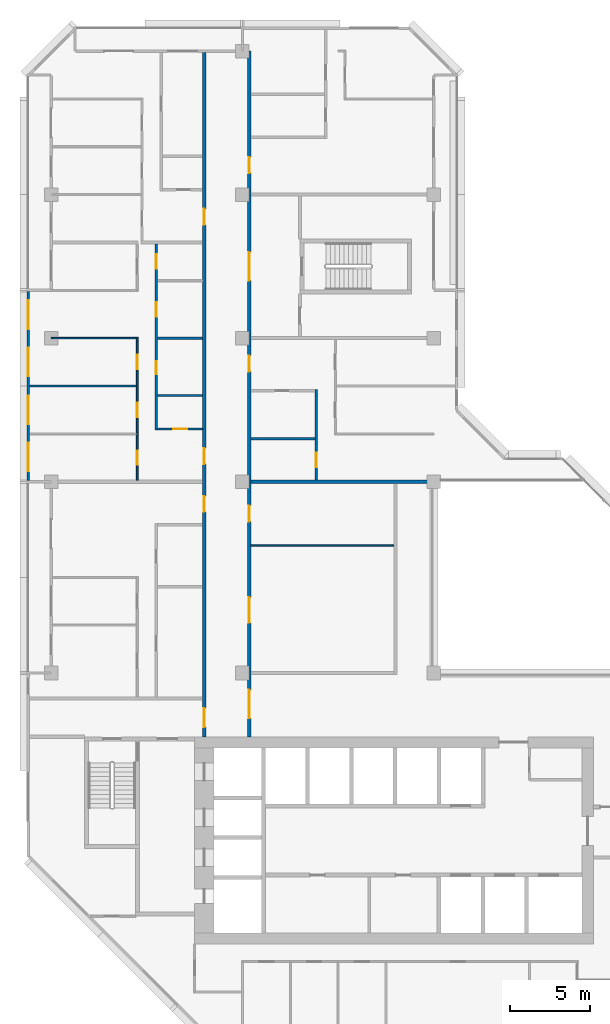
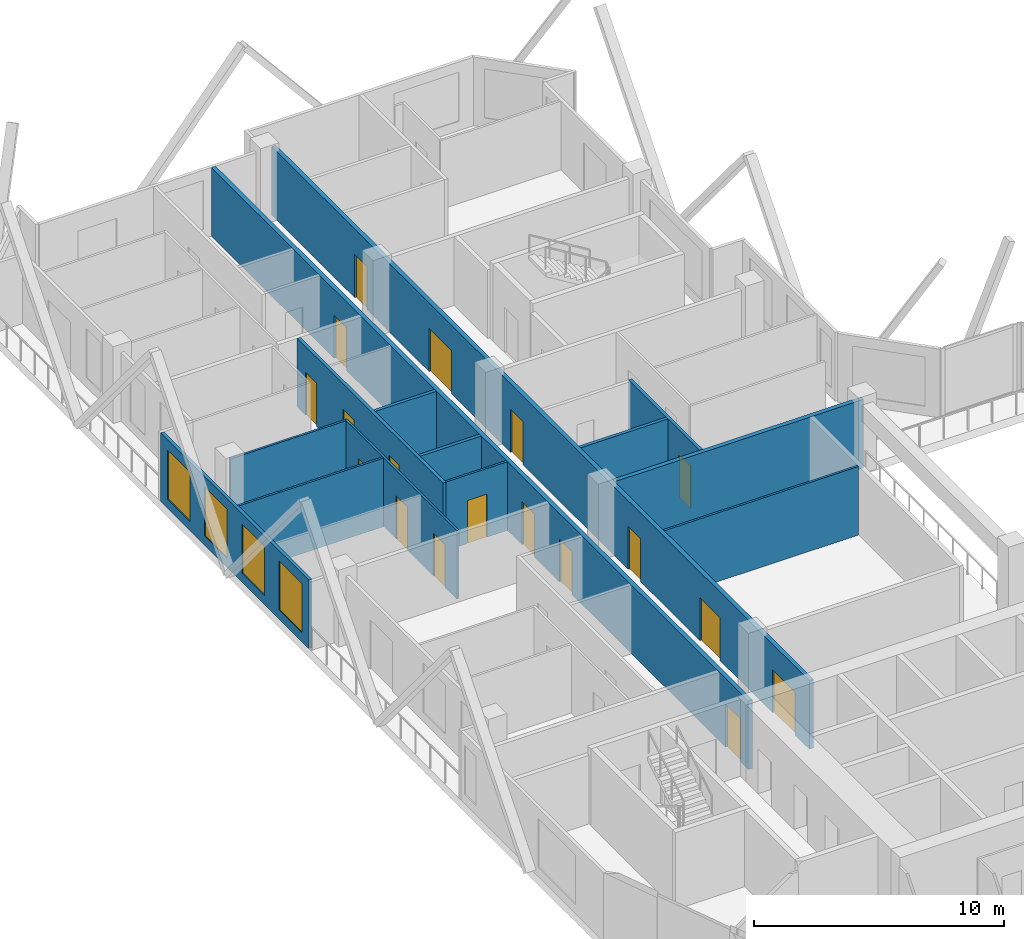
# One storey, part 9 of 16: 18 doors, 14 walls, 4 windows, 22 openings.
"""IFC4 building model written with IfcOpenShell, lengths in metres."""

from ifc_helpers import new_model, si_unit, direction, frame, frame_2d, origin, place, context, subcontext, project, spatial, rectangle, extrude, material, layer, layer_set, type_object, element, fill, save


model = new_model("IFC4")

# Units and contexts
model_context = context("Model", 3, precision=1e-05, world=origin(), true_north=direction((0.0, 1.0)))
body_context = subcontext(model_context, "Body", "Model", "MODEL_VIEW")
ifc_project = project(units=[si_unit("LENGTHUNIT", "METRE"), si_unit("AREAUNIT", "SQUARE_METRE"), si_unit("VOLUMEUNIT", "CUBIC_METRE"), si_unit("PLANEANGLEUNIT", "RADIAN"), si_unit("MASSUNIT", "GRAM", prefix="KILO")], contexts=[model_context])

# Site, building, storey
site_placement = place(None, origin())
site = spatial("IfcSite", under=ifc_project, at=site_placement, CompositionType="ELEMENT")
building_placement = place(site_placement, origin())
building = spatial("IfcBuilding", under=site, at=building_placement, Name="Chenar Terraces", CompositionType="ELEMENT")
storey_placement = place(building_placement, frame((0.0, 0.0, 219.14990234375)))
storey = spatial("IfcBuildingStorey", under=building, at=storey_placement, Name="L51", CompositionType="ELEMENT", Elevation=219.14990234375)

# Wall, openings, doors
ifc_material_1 = material(Name="Gypsum board on steel studs with fire boards", Category="steel")
ifc_layer_1 = layer(ifc_material_1, 0.199951171875)
ifc_layer_set_1 = layer_set([ifc_layer_1], Name="Gypsum board on steel studs with fire boards")
wall_type_1 = type_object("IfcWallType", Name="Corridor wall 200", PredefinedType="PARTITIONING", material=ifc_layer_set_1)
wall_1_placement = place(storey_placement, frame((9.60009765625, 20.0, 0.0), z_axis=(0.0, 0.0, 1.0), x_axis=(0.0, 1.0, 0.0)))
wall_1 = element("IfcWall", 1, at=wall_1_placement, inside=storey, type_object=wall_type_1, Name="Partition L51-033", PredefinedType="PARTITIONING", context=body_context, shape_type="SweptSolid", body=[
    extrude(rectangle(XDim=42.926025390625, YDim=0.199951171875, at=frame_2d((21.462890625, 0.0))), origin(), (0.0, 0.0, 1.0), 3.35009765625),
])
opening_1_placement = place(wall_1_placement, frame((17.10009765625, 0.0, 0.0)))
opening_1 = element("IfcOpeningElement", 2, at=opening_1_placement, cuts=wall_1, Name="Opening DL51-28", PredefinedType="OPENING", context=body_context, shape_type="SweptSolid", body=[
    extrude(rectangle(XDim=1.0, YDim=2.10009765625, at=frame_2d((0.5, 1.050048828125))), frame((0.0, 0.10986328125, 0.0), z_axis=(0.0, -1.0, 0.0), x_axis=(1.0, 0.0, 0.0)), (0.0, 0.0, 1.0), 0.219970703125),
])
opening_2_placement = place(wall_1_placement, frame((32.10009765625, 0.0, 0.0)))
opening_2 = element("IfcOpeningElement", 3, at=opening_2_placement, cuts=wall_1, Name="Opening DL51-36", PredefinedType="OPENING", context=body_context, shape_type="SweptSolid", body=[
    extrude(rectangle(XDim=1.0, YDim=2.10009765625, at=frame_2d((0.5, 1.050048828125))), frame((0.0, 0.10986328125, 0.0), z_axis=(0.0, -1.0, 0.0), x_axis=(1.0, 0.0, 0.0)), (0.0, 0.0, 1.0), 0.219970703125),
])
opening_3_placement = place(wall_1_placement, frame((0.60009765625, 0.0, 0.0)))
opening_3 = element("IfcOpeningElement", 4, at=opening_3_placement, cuts=wall_1, Name="Opening DL51-40", PredefinedType="OPENING", context=body_context, shape_type="SweptSolid", body=[
    extrude(rectangle(XDim=1.199951171875, YDim=2.10009765625, at=frame_2d((0.60009765625, 1.050048828125))), frame((0.0, 0.10986328125, 0.0), z_axis=(0.0, -1.0, 0.0), x_axis=(1.0, 0.0, 0.0)), (0.0, 0.0, 1.0), 0.219970703125),
])
opening_4_placement = place(wall_1_placement, frame((14.10009765625, 0.0, 0.0)))
opening_4 = element("IfcOpeningElement", 5, at=opening_4_placement, cuts=wall_1, Name="Opening DL51-64", PredefinedType="OPENING", context=body_context, shape_type="SweptSolid", body=[
    extrude(rectangle(XDim=1.0, YDim=2.10009765625, at=frame_2d((0.5, 1.050048828125))), frame((0.0, 0.10986328125, 0.0), z_axis=(0.0, -1.0, 0.0), x_axis=(1.0, 0.0, 0.0)), (0.0, 0.0, 1.0), 0.219970703125),
])
ifc_material_2 = material(Name="Steel-framed fire-resisting door leaf", Category="steel")
door_type_1 = type_object("IfcDoorType", Name="Fire door FD30S 1000 x 2100", OperationType="SINGLE_SWING_LEFT", PredefinedType="DOOR", material=ifc_material_2)
door_1_placement = place(opening_1_placement, origin())
door_1 = element("IfcDoor", 6, at=door_1_placement, inside=storey, type_object=door_type_1, Name="Door DL51-28", OperationType="SINGLE_SWING_LEFT", OverallHeight=2.10009765625, OverallWidth=1.0, PredefinedType="DOOR", context=body_context, shape_type="SweptSolid", body=[
    extrude(rectangle(XDim=1.0, YDim=2.10009765625, at=frame_2d((0.5, 1.050048828125))), frame((0.0, 0.02490234375, 0.0), z_axis=(0.0, -1.0, 0.0), x_axis=(1.0, 0.0, 0.0)), (0.0, 0.0, 1.0), 0.050048828125),
])
fill(opening_1, door_1)
door_2_placement = place(opening_2_placement, origin())
door_2 = element("IfcDoor", 7, at=door_2_placement, inside=storey, type_object=door_type_1, Name="Door DL51-36", OperationType="SINGLE_SWING_LEFT", OverallHeight=2.10009765625, OverallWidth=1.0, PredefinedType="DOOR", context=body_context, shape_type="SweptSolid", body=[
    extrude(rectangle(XDim=1.0, YDim=2.10009765625, at=frame_2d((0.5, 1.050048828125))), frame((0.0, 0.02490234375, 0.0), z_axis=(0.0, -1.0, 0.0), x_axis=(1.0, 0.0, 0.0)), (0.0, 0.0, 1.0), 0.050048828125),
])
fill(opening_2, door_2)
door_3_placement = place(opening_4_placement, origin())
door_3 = element("IfcDoor", 8, at=door_3_placement, inside=storey, type_object=door_type_1, Name="Door DL51-64", OperationType="SINGLE_SWING_LEFT", OverallHeight=2.10009765625, OverallWidth=1.0, PredefinedType="DOOR", context=body_context, shape_type="SweptSolid", body=[
    extrude(rectangle(XDim=1.0, YDim=2.10009765625, at=frame_2d((0.5, 1.050048828125))), frame((0.0, 0.02490234375, 0.0), z_axis=(0.0, -1.0, 0.0), x_axis=(1.0, 0.0, 0.0)), (0.0, 0.0, 1.0), 0.050048828125),
])
fill(opening_4, door_3)
ifc_material_3 = material(Name="Steel-framed fire-resisting door leaf", Category="steel")
door_type_2 = type_object("IfcDoorType", Name="Fire door FD30S 1200 x 2100", OperationType="SINGLE_SWING_LEFT", PredefinedType="DOOR", material=ifc_material_3)
door_4_placement = place(opening_3_placement, origin())
door_4 = element("IfcDoor", 9, at=door_4_placement, inside=storey, type_object=door_type_2, Name="Door DL51-40", OperationType="SINGLE_SWING_RIGHT", OverallHeight=2.10009765625, OverallWidth=1.199951171875, PredefinedType="DOOR", context=body_context, shape_type="SweptSolid", body=[
    extrude(rectangle(XDim=1.199951171875, YDim=2.10009765625, at=frame_2d((0.60009765625, 1.050048828125))), frame((0.0, 0.02490234375, 0.0), z_axis=(0.0, -1.0, 0.0), x_axis=(1.0, 0.0, 0.0)), (0.0, 0.0, 1.0), 0.050048828125),
])
fill(opening_3, door_4)

wall_2_placement = place(storey_placement, frame((12.425048828125, 20.0, 0.0), z_axis=(0.0, 0.0, 1.0), x_axis=(0.0, 1.0, 0.0)))
wall_2 = element("IfcWall", 10, at=wall_2_placement, inside=storey, type_object=wall_type_1, Name="Partition L51-036", PredefinedType="PARTITIONING", context=body_context, shape_type="SweptSolid", body=[
    extrude(rectangle(XDim=43.0, YDim=0.199951171875, at=frame_2d((21.5, 0.0))), origin(), (0.0, 0.0, 1.0), 3.35009765625),
])
opening_5_placement = place(wall_2_placement, frame((7.14990234375, 0.0, 0.0)))
opening_5 = element("IfcOpeningElement", 11, at=opening_5_placement, cuts=wall_2, Name="Opening DL51-1", PredefinedType="OPENING", context=body_context, shape_type="SweptSolid", body=[
    extrude(rectangle(XDim=1.60009765625, YDim=2.10009765625, at=frame_2d((0.800048828125, 1.050048828125))), frame((0.0, 0.10986328125, 0.0), z_axis=(0.0, -1.0, 0.0), x_axis=(1.0, 0.0, 0.0)), (0.0, 0.0, 1.0), 0.219970703125),
])
opening_6_placement = place(wall_2_placement, frame((13.5, 0.0, 0.0)))
opening_6 = element("IfcOpeningElement", 12, at=opening_6_placement, cuts=wall_2, Name="Opening DL51-2", PredefinedType="OPENING", context=body_context, shape_type="SweptSolid", body=[
    extrude(rectangle(XDim=1.0, YDim=2.10009765625, at=frame_2d((0.5, 1.050048828125))), frame((0.0, 0.10986328125, 0.0), z_axis=(0.0, -1.0, 0.0), x_axis=(1.0, 0.0, 0.0)), (0.0, 0.0, 1.0), 0.219970703125),
])
opening_7_placement = place(wall_2_placement, frame((22.89990234375, 0.0, 0.0)))
opening_7 = element("IfcOpeningElement", 13, at=opening_7_placement, cuts=wall_2, Name="Opening DL51-18", PredefinedType="OPENING", context=body_context, shape_type="SweptSolid", body=[
    extrude(rectangle(XDim=1.0, YDim=2.10009765625, at=frame_2d((0.5, 1.050048828125))), frame((0.0, 0.10986328125, 0.0), z_axis=(0.0, -1.0, 0.0), x_axis=(1.0, 0.0, 0.0)), (0.0, 0.0, 1.0), 0.219970703125),
])
opening_8_placement = place(wall_2_placement, frame((35.35009765625, 0.0, 0.0)))
opening_8 = element("IfcOpeningElement", 14, at=opening_8_placement, cuts=wall_2, Name="Opening DL51-22", PredefinedType="OPENING", context=body_context, shape_type="SweptSolid", body=[
    extrude(rectangle(XDim=1.0, YDim=2.10009765625, at=frame_2d((0.5, 1.050048828125))), frame((0.0, 0.10986328125, 0.0), z_axis=(0.0, -1.0, 0.0), x_axis=(1.0, 0.0, 0.0)), (0.0, 0.0, 1.0), 0.219970703125),
])
opening_9_placement = place(wall_2_placement, frame((1.14990234375, 0.0, 0.0)))
opening_9 = element("IfcOpeningElement", 15, at=opening_9_placement, cuts=wall_2, Name="Opening DL51-39", PredefinedType="OPENING", context=body_context, shape_type="SweptSolid", body=[
    extrude(rectangle(XDim=1.800048828125, YDim=2.10009765625, at=frame_2d((0.89990234375, 1.050048828125))), frame((0.0, 0.10986328125, 0.0), z_axis=(0.0, -1.0, 0.0), x_axis=(1.0, 0.0, 0.0)), (0.0, 0.0, 1.0), 0.219970703125),
])
opening_10_placement = place(wall_2_placement, frame((28.60009765625, 0.0, 0.0)))
opening_10 = element("IfcOpeningElement", 16, at=opening_10_placement, cuts=wall_2, Name="Opening DL51-41", PredefinedType="OPENING", context=body_context, shape_type="SweptSolid", body=[
    extrude(rectangle(XDim=1.800048828125, YDim=2.10009765625, at=frame_2d((0.89990234375, 1.050048828125))), frame((0.0, 0.10986328125, 0.0), z_axis=(0.0, -1.0, 0.0), x_axis=(1.0, 0.0, 0.0)), (0.0, 0.0, 1.0), 0.219970703125),
])
ifc_material_4 = material(Name="Steel-framed fire-resisting door leaf", Category="steel")
door_type_3 = type_object("IfcDoorType", Name="Fire door FD60 1000 x 2100", OperationType="SINGLE_SWING_LEFT", PredefinedType="DOOR", material=ifc_material_4)
door_5_placement = place(opening_6_placement, frame((1.0, 0.0, 0.0), z_axis=(0.0, 0.0, 1.0), x_axis=(-1.0, 0.0, 0.0)))
door_5 = element("IfcDoor", 17, at=door_5_placement, inside=storey, type_object=door_type_3, Name="Door DL51-2", OperationType="SINGLE_SWING_LEFT", OverallHeight=2.10009765625, OverallWidth=1.0, PredefinedType="DOOR", context=body_context, shape_type="SweptSolid", body=[
    extrude(rectangle(XDim=1.0, YDim=2.10009765625, at=frame_2d((0.5, 1.050048828125))), frame((0.0, 0.02490234375, 0.0), z_axis=(0.0, -1.0, 0.0), x_axis=(1.0, 0.0, 0.0)), (0.0, 0.0, 1.0), 0.050048828125),
])
fill(opening_6, door_5)
door_6_placement = place(opening_7_placement, frame((1.0, 0.0, 0.0), z_axis=(0.0, 0.0, 1.0), x_axis=(-1.0, 0.0, 0.0)))
door_6 = element("IfcDoor", 18, at=door_6_placement, inside=storey, type_object=door_type_3, Name="Door DL51-18", OperationType="SINGLE_SWING_LEFT", OverallHeight=2.10009765625, OverallWidth=1.0, PredefinedType="DOOR", context=body_context, shape_type="SweptSolid", body=[
    extrude(rectangle(XDim=1.0, YDim=2.10009765625, at=frame_2d((0.5, 1.050048828125))), frame((0.0, 0.02490234375, 0.0), z_axis=(0.0, -1.0, 0.0), x_axis=(1.0, 0.0, 0.0)), (0.0, 0.0, 1.0), 0.050048828125),
])
fill(opening_7, door_6)
door_7_placement = place(opening_8_placement, frame((1.0, 0.0, 0.0), z_axis=(0.0, 0.0, 1.0), x_axis=(-1.0, 0.0, 0.0)))
door_7 = element("IfcDoor", 19, at=door_7_placement, inside=storey, type_object=door_type_3, Name="Door DL51-22", OperationType="SINGLE_SWING_LEFT", OverallHeight=2.10009765625, OverallWidth=1.0, PredefinedType="DOOR", context=body_context, shape_type="SweptSolid", body=[
    extrude(rectangle(XDim=1.0, YDim=2.10009765625, at=frame_2d((0.5, 1.050048828125))), frame((0.0, 0.02490234375, 0.0), z_axis=(0.0, -1.0, 0.0), x_axis=(1.0, 0.0, 0.0)), (0.0, 0.0, 1.0), 0.050048828125),
])
fill(opening_8, door_7)
ifc_material_5 = material(Name="Steel-framed fire-resisting door leaf", Category="steel")
door_type_4 = type_object("IfcDoorType", Name="Fire double door FD60 1600 x 2100", OperationType="DOUBLE_DOOR_SINGLE_SWING", PredefinedType="DOOR", material=ifc_material_5)
door_8_placement = place(opening_5_placement, frame((1.60009765625, 0.0, 0.0), z_axis=(0.0, 0.0, 1.0), x_axis=(-1.0, 0.0, 0.0)))
door_8 = element("IfcDoor", 20, at=door_8_placement, inside=storey, type_object=door_type_4, Name="Door DL51-1", OperationType="DOUBLE_DOOR_SINGLE_SWING", OverallHeight=2.10009765625, OverallWidth=1.60009765625, PredefinedType="DOOR", context=body_context, shape_type="SweptSolid", body=[
    extrude(rectangle(XDim=1.60009765625, YDim=2.10009765625, at=frame_2d((0.800048828125, 1.050048828125))), frame((0.0, 0.02490234375, 0.0), z_axis=(0.0, -1.0, 0.0), x_axis=(1.0, 0.0, 0.0)), (0.0, 0.0, 1.0), 0.050048828125),
])
fill(opening_5, door_8)
ifc_material_6 = material(Name="Steel-framed fire-resisting door leaf", Category="steel")
door_type_5 = type_object("IfcDoorType", Name="Fire double door FD60 1800 x 2100", OperationType="DOUBLE_DOOR_SINGLE_SWING", PredefinedType="DOOR", material=ifc_material_6)
door_9_placement = place(opening_9_placement, frame((1.800048828125, 0.0, 0.0), z_axis=(0.0, 0.0, 1.0), x_axis=(-1.0, 0.0, 0.0)))
door_9 = element("IfcDoor", 21, at=door_9_placement, inside=storey, type_object=door_type_5, Name="Door DL51-39", OperationType="DOUBLE_DOOR_SINGLE_SWING", OverallHeight=2.10009765625, OverallWidth=1.800048828125, PredefinedType="DOOR", context=body_context, shape_type="SweptSolid", body=[
    extrude(rectangle(XDim=1.800048828125, YDim=2.10009765625, at=frame_2d((0.89990234375, 1.050048828125))), frame((0.0, 0.02490234375, 0.0), z_axis=(0.0, -1.0, 0.0), x_axis=(1.0, 0.0, 0.0)), (0.0, 0.0, 1.0), 0.050048828125),
])
fill(opening_9, door_9)
door_10_placement = place(opening_10_placement, frame((1.800048828125, 0.0, 0.0), z_axis=(0.0, 0.0, 1.0), x_axis=(-1.0, 0.0, 0.0)))
door_10 = element("IfcDoor", 22, at=door_10_placement, inside=storey, type_object=door_type_5, Name="Door DL51-41", OperationType="DOUBLE_DOOR_SINGLE_SWING", OverallHeight=2.10009765625, OverallWidth=1.800048828125, PredefinedType="DOOR", context=body_context, shape_type="SweptSolid", body=[
    extrude(rectangle(XDim=1.800048828125, YDim=2.10009765625, at=frame_2d((0.89990234375, 1.050048828125))), frame((0.0, 0.02490234375, 0.0), z_axis=(0.0, -1.0, 0.0), x_axis=(1.0, 0.0, 0.0)), (0.0, 0.0, 1.0), 0.050048828125),
])
fill(opening_10, door_10)

# Wall, openings, windows
ifc_material_7 = material(Name="Aluminium framed glazing", Category="aluminium")
ifc_layer_2 = layer(ifc_material_7, 0.14990234375)
ifc_layer_set_2 = layer_set([ifc_layer_2], Name="Aluminium framed glazing")
wall_type_2 = type_object("IfcWallType", Name="Glazed flush facade wall 150", PredefinedType="SOLIDWALL", material=ifc_layer_set_2)
wall_3_placement = place(storey_placement, frame((-1.425048828125, 47.925048828125, 0.0), z_axis=(0.0, 0.0, 1.0), x_axis=(0.0, -1.0, 0.0)))
wall_3 = element("IfcWall", 23, at=wall_3_placement, inside=storey, type_object=wall_type_2, Name="Glazed flush facade wall", PredefinedType="SOLIDWALL", context=body_context, shape_type="SweptSolid", body=[
    extrude(rectangle(XDim=11.85009765625, YDim=0.14990234375, at=frame_2d((5.925048828125, 0.0))), origin(), (0.0, 0.0, 1.0), 3.35009765625),
])
opening_11_placement = place(wall_3_placement, frame((0.5625, 0.0, 0.449951171875)))
opening_11 = element("IfcOpeningElement", 24, at=opening_11_placement, cuts=wall_3, Name="Opening W180x240", PredefinedType="OPENING", context=body_context, shape_type="SweptSolid", body=[
    extrude(rectangle(XDim=1.800048828125, YDim=2.39990234375, at=frame_2d((0.89990234375, 1.199951171875))), frame((0.0, 0.0849609375, 0.0), z_axis=(0.0, -1.0, 0.0), x_axis=(1.0, 0.0, 0.0)), (0.0, 0.0, 1.0), 0.169921875),
])
opening_12_placement = place(wall_3_placement, frame((3.52490234375, 0.0, 0.449951171875)))
opening_12 = element("IfcOpeningElement", 25, at=opening_12_placement, cuts=wall_3, Name="Opening W180x240", PredefinedType="OPENING", context=body_context, shape_type="SweptSolid", body=[
    extrude(rectangle(XDim=1.800048828125, YDim=2.39990234375, at=frame_2d((0.89990234375, 1.199951171875))), frame((0.0, 0.0849609375, 0.0), z_axis=(0.0, -1.0, 0.0), x_axis=(1.0, 0.0, 0.0)), (0.0, 0.0, 1.0), 0.169921875),
])
opening_13_placement = place(wall_3_placement, frame((6.52490234375, 0.0, 0.449951171875)))
opening_13 = element("IfcOpeningElement", 26, at=opening_13_placement, cuts=wall_3, Name="Opening W180x240", PredefinedType="OPENING", context=body_context, shape_type="SweptSolid", body=[
    extrude(rectangle(XDim=1.800048828125, YDim=2.39990234375, at=frame_2d((0.89990234375, 1.199951171875))), frame((0.0, 0.0849609375, 0.0), z_axis=(0.0, -1.0, 0.0), x_axis=(1.0, 0.0, 0.0)), (0.0, 0.0, 1.0), 0.169921875),
])
opening_14_placement = place(wall_3_placement, frame((9.487548828125, 0.0, 0.449951171875)))
opening_14 = element("IfcOpeningElement", 27, at=opening_14_placement, cuts=wall_3, Name="Opening W180x240", PredefinedType="OPENING", context=body_context, shape_type="SweptSolid", body=[
    extrude(rectangle(XDim=1.800048828125, YDim=2.39990234375, at=frame_2d((0.89990234375, 1.199951171875))), frame((0.0, 0.0849609375, 0.0), z_axis=(0.0, -1.0, 0.0), x_axis=(1.0, 0.0, 0.0)), (0.0, 0.0, 1.0), 0.169921875),
])
ifc_material_8 = material(Name="Low emissivity double glazing, aluminium frame", Category="aluminium")
window_type = type_object("IfcWindowType", Name="Fixed light 1800 x 2400", PartitioningType="SINGLE_PANEL", PredefinedType="WINDOW", material=ifc_material_8)
window_1_placement = place(opening_11_placement, origin())
window_1 = element("IfcWindow", 28, at=window_1_placement, inside=storey, type_object=window_type, Name="Window", OverallHeight=2.39990234375, OverallWidth=1.800048828125, PartitioningType="SINGLE_PANEL", PredefinedType="WINDOW", context=body_context, shape_type="SweptSolid", body=[
    extrude(rectangle(XDim=1.800048828125, YDim=2.39990234375, at=frame_2d((0.89990234375, 1.199951171875))), frame((0.0, 0.030029296875, 0.0), z_axis=(0.0, -1.0, 0.0), x_axis=(1.0, 0.0, 0.0)), (0.0, 0.0, 1.0), 0.06005859375),
])
fill(opening_11, window_1)
window_2_placement = place(opening_12_placement, origin())
window_2 = element("IfcWindow", 29, at=window_2_placement, inside=storey, type_object=window_type, Name="Window", OverallHeight=2.39990234375, OverallWidth=1.800048828125, PartitioningType="SINGLE_PANEL", PredefinedType="WINDOW", context=body_context, shape_type="SweptSolid", body=[
    extrude(rectangle(XDim=1.800048828125, YDim=2.39990234375, at=frame_2d((0.89990234375, 1.199951171875))), frame((0.0, 0.030029296875, 0.0), z_axis=(0.0, -1.0, 0.0), x_axis=(1.0, 0.0, 0.0)), (0.0, 0.0, 1.0), 0.06005859375),
])
fill(opening_12, window_2)
window_3_placement = place(opening_13_placement, origin())
window_3 = element("IfcWindow", 30, at=window_3_placement, inside=storey, type_object=window_type, Name="Window", OverallHeight=2.39990234375, OverallWidth=1.800048828125, PartitioningType="SINGLE_PANEL", PredefinedType="WINDOW", context=body_context, shape_type="SweptSolid", body=[
    extrude(rectangle(XDim=1.800048828125, YDim=2.39990234375, at=frame_2d((0.89990234375, 1.199951171875))), frame((0.0, 0.030029296875, 0.0), z_axis=(0.0, -1.0, 0.0), x_axis=(1.0, 0.0, 0.0)), (0.0, 0.0, 1.0), 0.06005859375),
])
fill(opening_13, window_3)
window_4_placement = place(opening_14_placement, origin())
window_4 = element("IfcWindow", 31, at=window_4_placement, inside=storey, type_object=window_type, Name="Window", OverallHeight=2.39990234375, OverallWidth=1.800048828125, PartitioningType="SINGLE_PANEL", PredefinedType="WINDOW", context=body_context, shape_type="SweptSolid", body=[
    extrude(rectangle(XDim=1.800048828125, YDim=2.39990234375, at=frame_2d((0.89990234375, 1.199951171875))), frame((0.0, 0.030029296875, 0.0), z_axis=(0.0, -1.0, 0.0), x_axis=(1.0, 0.0, 0.0)), (0.0, 0.0, 1.0), 0.06005859375),
])
fill(opening_14, window_4)

# Walls
ifc_material_9 = material(Name="Gypsum board on steel studs", Category="steel")
ifc_layer_3 = layer(ifc_material_9, 0.10009765625)
ifc_layer_set_3 = layer_set([ifc_layer_3], Name="Gypsum board on steel studs")
wall_type_3 = type_object("IfcWallType", Name="Gypsum partition 100", PredefinedType="PARTITIONING", material=ifc_layer_set_3)
wall_4_placement = place(storey_placement, frame((-1.35107421875, 42.0, 0.0), z_axis=(0.0, 0.0, 1.0), x_axis=(1.0, 0.0, 0.0)))
element("IfcWall", 32, at=wall_4_placement, inside=storey, type_object=wall_type_3, Name="Partition L51-002", PredefinedType="PARTITIONING", context=body_context, shape_type="SweptSolid", body=[
    extrude(rectangle(XDim=6.701171875, YDim=0.10009765625, at=frame_2d((3.3505859375, 0.0))), origin(), (0.0, 0.0, 1.0), 3.35009765625),
])
wall_5_placement = place(storey_placement, frame((0.0, 45.0, 0.0), z_axis=(0.0, 0.0, 1.0), x_axis=(1.0, 0.0, 0.0)))
element("IfcWall", 33, at=wall_5_placement, inside=storey, type_object=wall_type_3, Name="Partition L51-006", PredefinedType="PARTITIONING", context=body_context, shape_type="SweptSolid", body=[
    extrude(rectangle(XDim=5.35009765625, YDim=0.10009765625, at=frame_2d((2.675048828125, 0.0))), origin(), (0.0, 0.0, 1.0), 3.35009765625),
])

# Wall, openings, doors
wall_6_placement = place(storey_placement, frame((5.39990234375, 36.10009765625, 0.0), z_axis=(0.0, 0.0, 1.0), x_axis=(0.0, 1.0, 0.0)))
wall_6 = element("IfcWall", 34, at=wall_6_placement, inside=storey, type_object=wall_type_3, Name="Partition L51-016", PredefinedType="PARTITIONING", context=body_context, shape_type="SweptSolid", body=[
    extrude(rectangle(XDim=8.949951171875, YDim=0.10009765625, at=frame_2d((4.47509765625, 0.0))), origin(), (0.0, 0.0, 1.0), 3.35009765625),
])
opening_15_placement = place(wall_6_placement, frame((0.949951171875, 0.0, 0.0)))
opening_15 = element("IfcOpeningElement", 35, at=opening_15_placement, cuts=wall_6, Name="Opening DL51-24", PredefinedType="OPENING", context=body_context, shape_type="SweptSolid", body=[
    extrude(rectangle(XDim=0.89990234375, YDim=2.10009765625, at=frame_2d((0.449951171875, 1.050048828125))), frame((0.0, 0.06005859375, 0.0), z_axis=(0.0, -1.0, 0.0), x_axis=(1.0, 0.0, 0.0)), (0.0, 0.0, 1.0), 0.1201171875),
])
opening_16_placement = place(wall_6_placement, frame((3.949951171875, 0.0, 0.0)))
opening_16 = element("IfcOpeningElement", 36, at=opening_16_placement, cuts=wall_6, Name="Opening DL51-25", PredefinedType="OPENING", context=body_context, shape_type="SweptSolid", body=[
    extrude(rectangle(XDim=0.89990234375, YDim=2.10009765625, at=frame_2d((0.449951171875, 1.050048828125))), frame((0.0, 0.06005859375, 0.0), z_axis=(0.0, -1.0, 0.0), x_axis=(1.0, 0.0, 0.0)), (0.0, 0.0, 1.0), 0.1201171875),
])
opening_17_placement = place(wall_6_placement, frame((6.949951171875, 0.0, 0.0)))
opening_17 = element("IfcOpeningElement", 37, at=opening_17_placement, cuts=wall_6, Name="Opening DL51-26", PredefinedType="OPENING", context=body_context, shape_type="SweptSolid", body=[
    extrude(rectangle(XDim=0.89990234375, YDim=2.10009765625, at=frame_2d((0.449951171875, 1.050048828125))), frame((0.0, 0.06005859375, 0.0), z_axis=(0.0, -1.0, 0.0), x_axis=(1.0, 0.0, 0.0)), (0.0, 0.0, 1.0), 0.1201171875),
])
ifc_material_10 = material(Name="Veneered timber door leaf", Category="wood")
door_type_6 = type_object("IfcDoorType", Name="Door 900 x 2100", OperationType="SINGLE_SWING_LEFT", PredefinedType="DOOR", material=ifc_material_10)
door_11_placement = place(opening_15_placement, origin())
door_11 = element("IfcDoor", 38, at=door_11_placement, inside=storey, type_object=door_type_6, Name="Door DL51-24", OperationType="SINGLE_SWING_RIGHT", OverallHeight=2.10009765625, OverallWidth=0.89990234375, PredefinedType="DOOR", context=body_context, shape_type="SweptSolid", body=[
    extrude(rectangle(XDim=0.89990234375, YDim=2.10009765625, at=frame_2d((0.449951171875, 1.050048828125))), frame((0.0, 0.02490234375, 0.0), z_axis=(0.0, -1.0, 0.0), x_axis=(1.0, 0.0, 0.0)), (0.0, 0.0, 1.0), 0.050048828125),
])
fill(opening_15, door_11)
door_12_placement = place(opening_16_placement, origin())
door_12 = element("IfcDoor", 39, at=door_12_placement, inside=storey, type_object=door_type_6, Name="Door DL51-25", OperationType="SINGLE_SWING_RIGHT", OverallHeight=2.10009765625, OverallWidth=0.89990234375, PredefinedType="DOOR", context=body_context, shape_type="SweptSolid", body=[
    extrude(rectangle(XDim=0.89990234375, YDim=2.10009765625, at=frame_2d((0.449951171875, 1.050048828125))), frame((0.0, 0.02490234375, 0.0), z_axis=(0.0, -1.0, 0.0), x_axis=(1.0, 0.0, 0.0)), (0.0, 0.0, 1.0), 0.050048828125),
])
fill(opening_16, door_12)
door_13_placement = place(opening_17_placement, origin())
door_13 = element("IfcDoor", 40, at=door_13_placement, inside=storey, type_object=door_type_6, Name="Door DL51-26", OperationType="SINGLE_SWING_RIGHT", OverallHeight=2.10009765625, OverallWidth=0.89990234375, PredefinedType="DOOR", context=body_context, shape_type="SweptSolid", body=[
    extrude(rectangle(XDim=0.89990234375, YDim=2.10009765625, at=frame_2d((0.449951171875, 1.050048828125))), frame((0.0, 0.02490234375, 0.0), z_axis=(0.0, -1.0, 0.0), x_axis=(1.0, 0.0, 0.0)), (0.0, 0.0, 1.0), 0.050048828125),
])
fill(opening_17, door_13)

# Wall, opening, door
wall_7_placement = place(storey_placement, frame((6.675048828125, 39.300048828125, 0.0), z_axis=(0.0, 0.0, 1.0), x_axis=(1.0, 0.0, 0.0)))
wall_7 = element("IfcWall", 41, at=wall_7_placement, inside=storey, type_object=wall_type_3, Name="Partition L51-024", PredefinedType="PARTITIONING", context=body_context, shape_type="SweptSolid", body=[
    extrude(rectangle(XDim=2.824951171875, YDim=0.10009765625, at=frame_2d((1.41259765625, 0.0))), origin(), (0.0, 0.0, 1.0), 3.35009765625),
])
opening_18_placement = place(wall_7_placement, frame((0.97509765625, 0.0, 0.0)))
opening_18 = element("IfcOpeningElement", 42, at=opening_18_placement, cuts=wall_7, Name="Opening DL51-29", PredefinedType="OPENING", context=body_context, shape_type="SweptSolid", body=[
    extrude(rectangle(XDim=0.89990234375, YDim=2.10009765625, at=frame_2d((0.449951171875, 1.050048828125))), frame((0.0, 0.06005859375, 0.0), z_axis=(0.0, -1.0, 0.0), x_axis=(1.0, 0.0, 0.0)), (0.0, 0.0, 1.0), 0.1201171875),
])
door_14_placement = place(opening_18_placement, origin())
door_14 = element("IfcDoor", 43, at=door_14_placement, inside=storey, type_object=door_type_6, Name="Door DL51-29", OperationType="SINGLE_SWING_RIGHT", OverallHeight=2.10009765625, OverallWidth=0.89990234375, PredefinedType="DOOR", context=body_context, shape_type="SweptSolid", body=[
    extrude(rectangle(XDim=0.89990234375, YDim=2.10009765625, at=frame_2d((0.449951171875, 1.050048828125))), frame((0.0, 0.02490234375, 0.0), z_axis=(0.0, -1.0, 0.0), x_axis=(1.0, 0.0, 0.0)), (0.0, 0.0, 1.0), 0.050048828125),
])
fill(opening_18, door_14)

# Walls
wall_8_placement = place(storey_placement, frame((12.52490234375, 32.0, 0.0), z_axis=(0.0, 0.0, 1.0), x_axis=(1.0, 0.0, 0.0)))
element("IfcWall", 44, at=wall_8_placement, inside=storey, type_object=wall_type_3, Name="Partition L51-038", PredefinedType="PARTITIONING", context=body_context, shape_type="SweptSolid", body=[
    extrude(rectangle(XDim=8.97509765625, YDim=0.10009765625, at=frame_2d((4.487548828125, 0.0))), origin(), (0.0, 0.0, 1.0), 3.35009765625),
])
ifc_material_11 = material(Name="Twin gypsum board on steel studs with mineral wool", Category="steel")
ifc_layer_4 = layer(ifc_material_11, 0.199951171875)
ifc_layer_set_4 = layer_set([ifc_layer_4], Name="Twin gypsum board on steel studs with mineral wool")
wall_type_4 = type_object("IfcWallType", Name="Unit demising wall 200", PredefinedType="PARTITIONING", material=ifc_layer_set_4)
wall_9_placement = place(storey_placement, frame((12.52490234375, 36.0, 0.0), z_axis=(0.0, 0.0, 1.0), x_axis=(1.0, 0.0, 0.0)))
element("IfcWall", 45, at=wall_9_placement, inside=storey, type_object=wall_type_4, Name="Partition L51-039", PredefinedType="PARTITIONING", context=body_context, shape_type="SweptSolid", body=[
    extrude(rectangle(XDim=11.47509765625, YDim=0.199951171875, at=frame_2d((5.737548828125, 0.0))), origin(), (0.0, 0.0, 1.0), 3.35009765625),
])

# Wall, openings, doors
ifc_material_12 = material(Name="Moisture-resistant gypsum board on steel studs", Category="steel")
ifc_layer_5 = layer(ifc_material_12, 0.14990234375)
ifc_layer_set_5 = layer_set([ifc_layer_5], Name="Moisture-resistant gypsum board on steel studs")
wall_type_5 = type_object("IfcWallType", Name="Wet-room partition 150", PredefinedType="PARTITIONING", material=ifc_layer_set_5)
wall_10_placement = place(storey_placement, frame((6.60009765625, 39.25, 0.0), z_axis=(0.0, 0.0, 1.0), x_axis=(0.0, 1.0, 0.0)))
wall_10 = element("IfcWall", 46, at=wall_10_placement, inside=storey, type_object=wall_type_5, Name="Partition L51-021", PredefinedType="PARTITIONING", context=body_context, shape_type="SweptSolid", body=[
    extrude(rectangle(XDim=11.64990234375, YDim=0.14990234375, at=frame_2d((5.824951171875, 0.0))), origin(), (0.0, 0.0, 1.0), 3.35009765625),
])
opening_19_placement = place(wall_10_placement, frame((3.5, 0.0, 0.0)))
opening_19 = element("IfcOpeningElement", 47, at=opening_19_placement, cuts=wall_10, Name="Opening DL51-23", PredefinedType="OPENING", context=body_context, shape_type="SweptSolid", body=[
    extrude(rectangle(XDim=0.800048828125, YDim=2.10009765625, at=frame_2d((0.39990234375, 1.050048828125))), frame((0.0, 0.0849609375, 0.0), z_axis=(0.0, -1.0, 0.0), x_axis=(1.0, 0.0, 0.0)), (0.0, 0.0, 1.0), 0.169921875),
])
opening_20_placement = place(wall_10_placement, frame((7.10009765625, 0.0, 0.0)))
opening_20 = element("IfcOpeningElement", 48, at=opening_20_placement, cuts=wall_10, Name="Opening DL51-27", PredefinedType="OPENING", context=body_context, shape_type="SweptSolid", body=[
    extrude(rectangle(XDim=0.89990234375, YDim=2.10009765625, at=frame_2d((0.449951171875, 1.050048828125))), frame((0.0, 0.0849609375, 0.0), z_axis=(0.0, -1.0, 0.0), x_axis=(1.0, 0.0, 0.0)), (0.0, 0.0, 1.0), 0.169921875),
])
opening_21_placement = place(wall_10_placement, frame((10.10009765625, 0.0, 0.0)))
opening_21 = element("IfcOpeningElement", 49, at=opening_21_placement, cuts=wall_10, Name="Opening DL51-30", PredefinedType="OPENING", context=body_context, shape_type="SweptSolid", body=[
    extrude(rectangle(XDim=0.89990234375, YDim=2.10009765625, at=frame_2d((0.449951171875, 1.050048828125))), frame((0.0, 0.0849609375, 0.0), z_axis=(0.0, -1.0, 0.0), x_axis=(1.0, 0.0, 0.0)), (0.0, 0.0, 1.0), 0.169921875),
])
ifc_material_13 = material(Name="Veneered timber door leaf", Category="wood")
door_type_7 = type_object("IfcDoorType", Name="Door 800 x 2100", OperationType="SINGLE_SWING_LEFT", PredefinedType="DOOR", material=ifc_material_13)
door_15_placement = place(opening_19_placement, frame((0.800048828125, 0.0, 0.0), z_axis=(0.0, 0.0, 1.0), x_axis=(-1.0, 0.0, 0.0)))
door_15 = element("IfcDoor", 50, at=door_15_placement, inside=storey, type_object=door_type_7, Name="Door DL51-23", OperationType="SINGLE_SWING_RIGHT", OverallHeight=2.10009765625, OverallWidth=0.800048828125, PredefinedType="DOOR", context=body_context, shape_type="SweptSolid", body=[
    extrude(rectangle(XDim=0.800048828125, YDim=2.10009765625, at=frame_2d((0.39990234375, 1.050048828125))), frame((0.0, 0.02490234375, 0.0), z_axis=(0.0, -1.0, 0.0), x_axis=(1.0, 0.0, 0.0)), (0.0, 0.0, 1.0), 0.050048828125),
])
fill(opening_19, door_15)
door_16_placement = place(opening_20_placement, frame((0.89990234375, 0.0, 0.0), z_axis=(0.0, 0.0, 1.0), x_axis=(-1.0, 0.0, 0.0)))
door_16 = element("IfcDoor", 51, at=door_16_placement, inside=storey, type_object=door_type_6, Name="Door DL51-27", OperationType="SINGLE_SWING_RIGHT", OverallHeight=2.10009765625, OverallWidth=0.89990234375, PredefinedType="DOOR", context=body_context, shape_type="SweptSolid", body=[
    extrude(rectangle(XDim=0.89990234375, YDim=2.10009765625, at=frame_2d((0.449951171875, 1.050048828125))), frame((0.0, 0.02490234375, 0.0), z_axis=(0.0, -1.0, 0.0), x_axis=(1.0, 0.0, 0.0)), (0.0, 0.0, 1.0), 0.050048828125),
])
fill(opening_20, door_16)
door_17_placement = place(opening_21_placement, frame((0.89990234375, 0.0, 0.0), z_axis=(0.0, 0.0, 1.0), x_axis=(-1.0, 0.0, 0.0)))
door_17 = element("IfcDoor", 52, at=door_17_placement, inside=storey, type_object=door_type_6, Name="Door DL51-30", OperationType="SINGLE_SWING_LEFT", OverallHeight=2.10009765625, OverallWidth=0.89990234375, PredefinedType="DOOR", context=body_context, shape_type="SweptSolid", body=[
    extrude(rectangle(XDim=0.89990234375, YDim=2.10009765625, at=frame_2d((0.449951171875, 1.050048828125))), frame((0.0, 0.02490234375, 0.0), z_axis=(0.0, -1.0, 0.0), x_axis=(1.0, 0.0, 0.0)), (0.0, 0.0, 1.0), 0.050048828125),
])
fill(opening_21, door_17)

# Walls
for number, where, z_axis, x_axis, name in (
    (53, (6.675048828125, 41.39990234375, 0.0), (0.0, 0.0, 1.0), (1.0, 0.0, 0.0), "Partition L51-025"),
    (54, (6.675048828125, 45.0, 0.0), (0.0, 0.0, 1.0), (1.0, 0.0, 0.0), "Partition L51-026"),
):
    element("IfcWall", number, at=place(storey_placement, frame(where, z_axis=z_axis, x_axis=x_axis)), inside=storey, type_object=wall_type_5, Name=name, PredefinedType="PARTITIONING", context=body_context, shape_type="SweptSolid", body=[
        extrude(rectangle(XDim=2.824951171875, YDim=0.14990234375, at=frame_2d((1.41259765625, 0.0))), origin(), (0.0, 0.0, 1.0), 3.35009765625),
    ])
wall_11_placement = place(storey_placement, frame((12.52490234375, 38.699951171875, 0.0), z_axis=(0.0, 0.0, 1.0), x_axis=(1.0, 0.0, 0.0)))
element("IfcWall", 55, at=wall_11_placement, inside=storey, type_object=wall_type_5, Name="Partition L51-040", PredefinedType="PARTITIONING", context=body_context, shape_type="SweptSolid", body=[
    extrude(rectangle(XDim=4.025146484375, YDim=0.14990234375, at=frame_2d((2.0126953125, 0.0))), origin(), (0.0, 0.0, 1.0), 3.35009765625),
])

# Wall, opening, door
wall_12_placement = place(storey_placement, frame((16.625, 36.10009765625, 0.0), z_axis=(0.0, 0.0, 1.0), x_axis=(0.0, 1.0, 0.0)))
wall_12 = element("IfcWall", 56, at=wall_12_placement, inside=storey, type_object=wall_type_5, Name="Partition L51-049", PredefinedType="PARTITIONING", context=body_context, shape_type="SweptSolid", body=[
    extrude(rectangle(XDim=5.6748046875, YDim=0.14990234375, at=frame_2d((2.83740234375, 0.0))), origin(), (0.0, 0.0, 1.0), 3.35009765625),
])
opening_22_placement = place(wall_12_placement, frame((0.800048828125, 0.0, 0.0)))
opening_22 = element("IfcOpeningElement", 57, at=opening_22_placement, cuts=wall_12, Name="Opening DL51-17", PredefinedType="OPENING", context=body_context, shape_type="SweptSolid", body=[
    extrude(rectangle(XDim=0.89990234375, YDim=2.10009765625, at=frame_2d((0.449951171875, 1.050048828125))), frame((0.0, 0.0849609375, 0.0), z_axis=(0.0, -1.0, 0.0), x_axis=(1.0, 0.0, 0.0)), (0.0, 0.0, 1.0), 0.169921875),
])
door_18_placement = place(opening_22_placement, origin())
door_18 = element("IfcDoor", 58, at=door_18_placement, inside=storey, type_object=door_type_6, Name="Door DL51-17", OperationType="SINGLE_SWING_RIGHT", OverallHeight=2.10009765625, OverallWidth=0.89990234375, PredefinedType="DOOR", context=body_context, shape_type="SweptSolid", body=[
    extrude(rectangle(XDim=0.89990234375, YDim=2.10009765625, at=frame_2d((0.449951171875, 1.050048828125))), frame((0.0, 0.02490234375, 0.0), z_axis=(0.0, -1.0, 0.0), x_axis=(1.0, 0.0, 0.0)), (0.0, 0.0, 1.0), 0.050048828125),
])
fill(opening_22, door_18)

save(model, "model.ifc")
